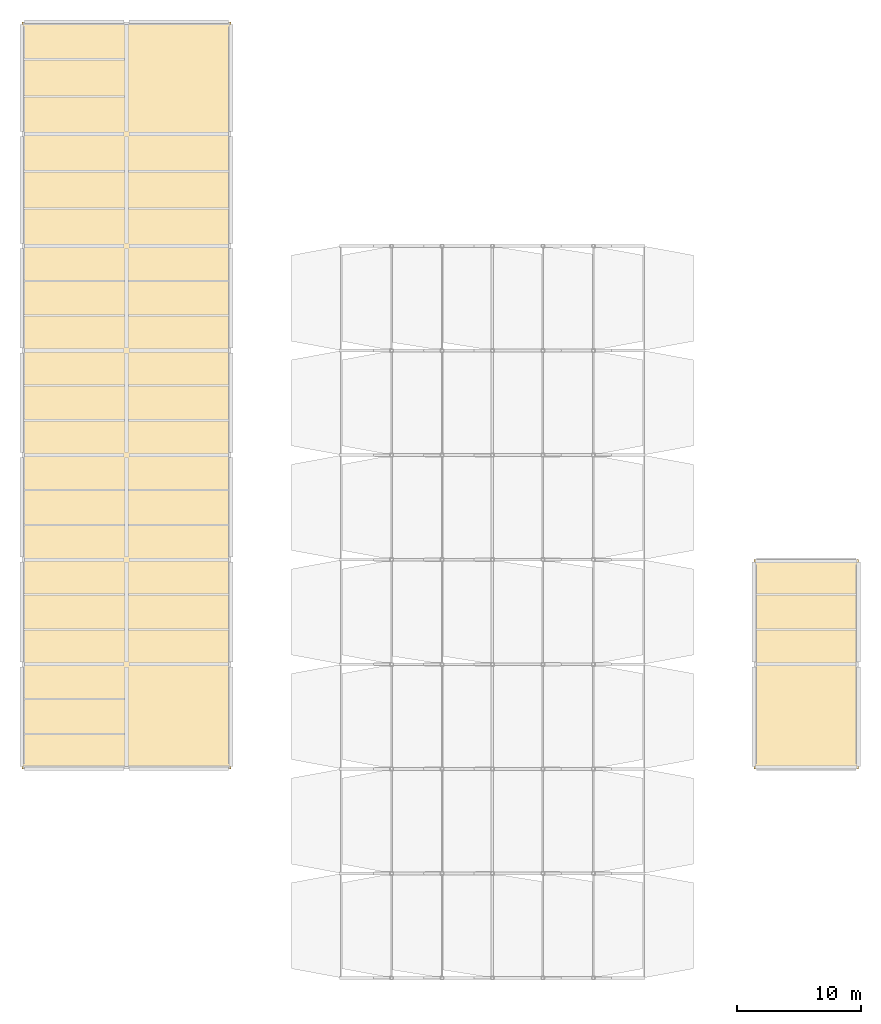
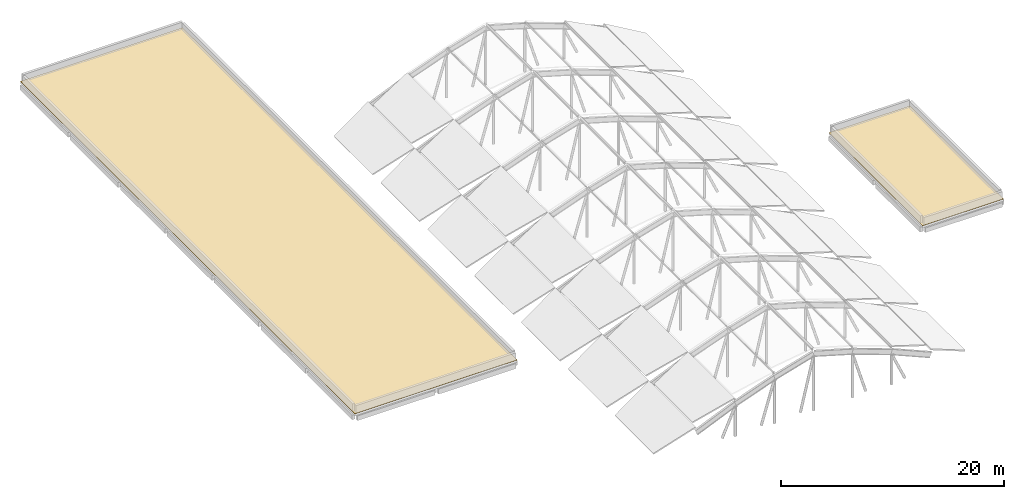
# One storey, part 22 of 22: 2 coverings.
"""IFC4 building model written with IfcOpenShell, lengths in metres."""

from ifc_helpers import new_model, si_unit, direction, frame, origin, place, context, subcontext, project, spatial, polyline, outline, extrude, material, layer, layer_set, type_object, element, save


model = new_model("IFC4")

# Units and contexts
model_context = context("Model", 3, precision=1e-05, world=origin(), true_north=direction((0.0, 1.0)))
body_context = subcontext(model_context, "Body", "Model", "MODEL_VIEW")
ifc_project = project(units=[si_unit("LENGTHUNIT", "METRE"), si_unit("AREAUNIT", "SQUARE_METRE"), si_unit("VOLUMEUNIT", "CUBIC_METRE"), si_unit("PLANEANGLEUNIT", "RADIAN"), si_unit("MASSUNIT", "GRAM", prefix="KILO")], contexts=[model_context])

# Site, building, storey
site_placement = place(None, origin())
site = spatial("IfcSite", under=ifc_project, at=site_placement, CompositionType="ELEMENT")
building_placement = place(site_placement, origin())
building = spatial("IfcBuilding", under=site, at=building_placement, Name="Vireocrest Preparatory School", CompositionType="ELEMENT")
storey_placement = place(building_placement, frame((0.0, 0.0, 25.800048828125)))
storey = spatial("IfcBuildingStorey", under=building, at=storey_placement, Name="RF", CompositionType="ELEMENT", Elevation=25.800048828125)

# Coverings
ifc_material = material(Name="TPO single-ply insulated roofing membrane")
ifc_layer = layer(ifc_material, 0.030029296875)
ifc_layer_set = layer_set([ifc_layer], Name="TPO single-ply insulated roofing membrane")
covering_type = type_object("IfcCoveringType", Name="TPO Insulated Single-Ply Roof Membrane", PredefinedType="ROOFING", material=ifc_layer_set)
covering_1_placement = place(storey_placement, origin())
element("IfcCovering", 1, at=covering_1_placement, inside=storey, type_object=covering_type, Name="Roof Membrane RF_WEST_BAR_ROOF", PredefinedType="ROOFING", context=body_context, shape_type="SweptSolid", body=[
    extrude(outline(polyline([(42.0, 43.800048828125), (58.800048828125, 43.800048828125), (58.800048828125, 103.800048828125), (42.0, 103.800048828125), (42.0, 43.800048828125)])), origin(), (0.0, 0.0, 1.0), 0.030029296875),
])
covering_2_placement = place(storey_placement, origin())
element("IfcCovering", 2, at=covering_2_placement, inside=storey, type_object=covering_type, Name="Roof Membrane RF_EAST_CORE_ROOF", PredefinedType="ROOFING", context=body_context, shape_type="SweptSolid", body=[
    extrude(outline(polyline([(100.800048828125, 43.800048828125), (109.199951171875, 43.800048828125), (109.199951171875, 60.60009765625), (100.800048828125, 60.60009765625), (100.800048828125, 43.800048828125)])), origin(), (0.0, 0.0, 1.0), 0.030029296875),
])

save(model, "model.ifc")
